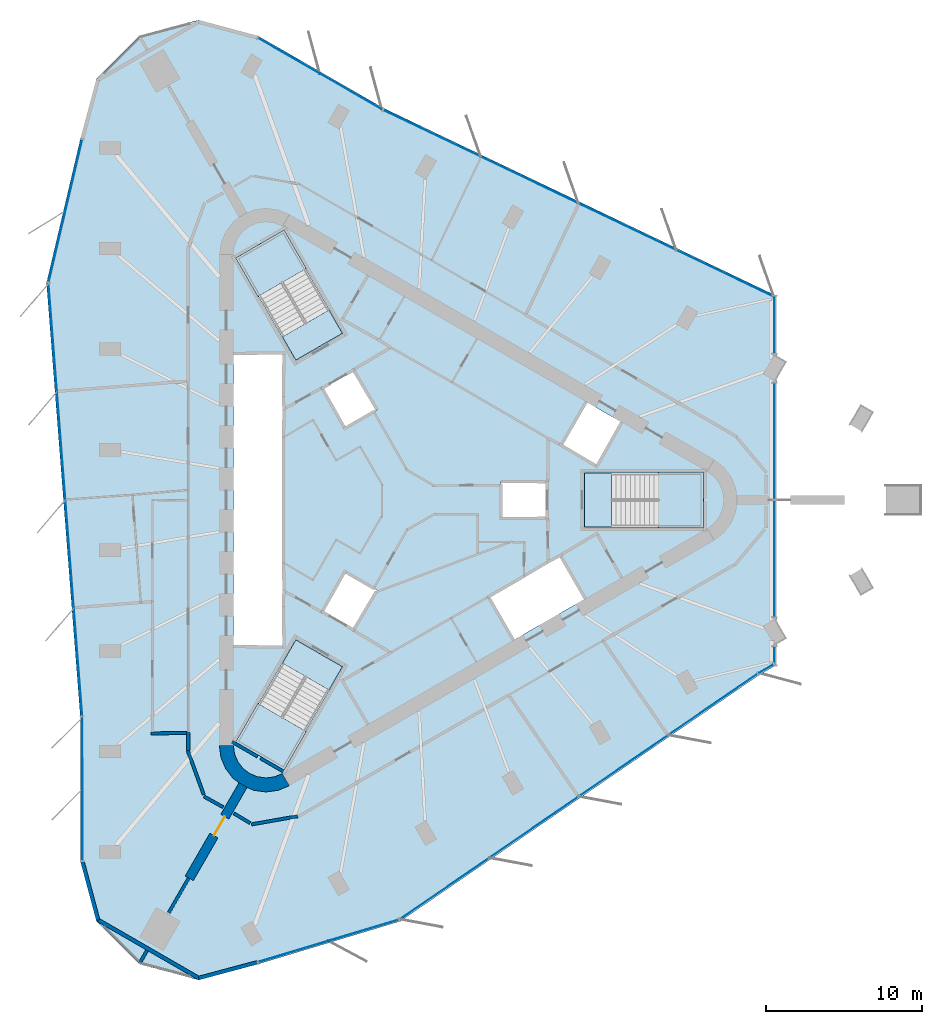
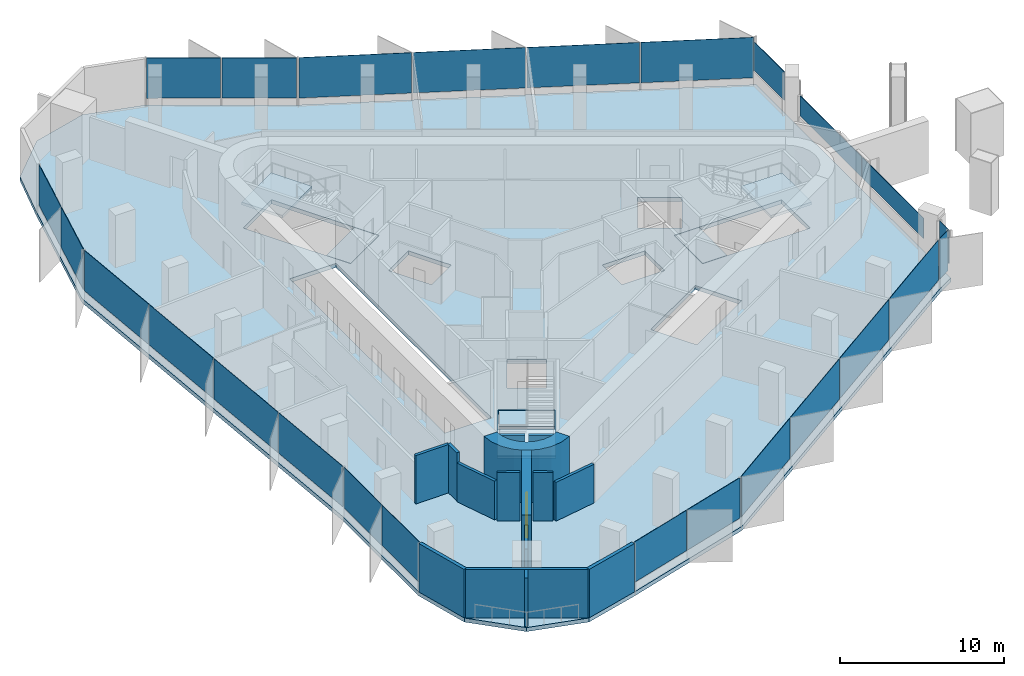
# One storey, part 6 of 12: 25 plates, 15 walls, 7 slabs, 1 door, 1 opening, 14 elements without a shape of their own.
"""IFC4 building model written with IfcOpenShell, lengths in metres."""

from ifc_helpers import new_model, si_unit, direction, frame, frame_2d, origin, origin_2d, place, context, subcontext, project, spatial, polyline, rectangle, outline, extrude, material, layer, layer_set, type_object, element, fill, aggregate, save


model = new_model("IFC4")

# Units and contexts
model_context = context("Model", 3, precision=1e-05, world=origin(), true_north=direction((0.0, 1.0)))
body_context = subcontext(model_context, "Body", "Model", "MODEL_VIEW")
ifc_project = project(units=[si_unit("LENGTHUNIT", "METRE"), si_unit("AREAUNIT", "SQUARE_METRE"), si_unit("VOLUMEUNIT", "CUBIC_METRE"), si_unit("PLANEANGLEUNIT", "RADIAN"), si_unit("MASSUNIT", "GRAM", prefix="KILO")], contexts=[model_context])

# Site, building, storey
site_placement = place(None, origin())
site = spatial("IfcSite", under=ifc_project, at=site_placement, CompositionType="ELEMENT")
building_placement = place(site_placement, origin())
building = spatial("IfcBuilding", under=site, at=building_placement, Name="Tanit Gate Tower", CompositionType="ELEMENT")
storey_placement = place(building_placement, frame((0.0, 0.0, 376.699951171875)))
storey = spatial("IfcBuildingStorey", under=building, at=storey_placement, Name="L86", CompositionType="ELEMENT", Elevation=376.699951171875)

# Slab
ifc_material_1 = material(Name="Concrete C35/45", Category="concrete")
ifc_layer_1 = layer(ifc_material_1, 0.300048828125)
ifc_layer_set_1 = layer_set([ifc_layer_1], Name="FLOOR SLAB 300 C35/45")
slab_type_1 = type_object("IfcSlabType", Name="FLOOR SLAB 300 C35/45", PredefinedType="FLOOR", material=ifc_layer_set_1)
slab_1_placement = place(storey_placement, frame((0.0, 0.0, -0.300048828125)))
element("IfcSlab", 1, at=slab_1_placement, inside=storey, type_object=slab_type_1, Name="FLOOR SLAB L86", PredefinedType="FLOOR", context=body_context, shape_type="SweptSolid", body=[
    extrude(outline(polyline([(22.59765625, -11.23974609375), (-0.477783203125, -27.072998046875), (-9.62548828125, -29.8291015625), (-13.423583984375, -30.8466796875), (-17.2216796875, -29.8291015625), (-20.002197265625, -27.048583984375), (-21.02001953125, -23.25048828125), (-21.03271484375, -13.9501953125), (-23.207275390625, 13.9501953125), (-21.02001953125, 23.25048828125), (-20.002197265625, 27.048583984375), (-17.2216796875, 29.8291015625), (-13.423583984375, 30.8466796875), (-9.62548828125, 29.8291015625), (-1.56494140625, 25.18994140625), (23.684814453125, 13.122802734375), (30.6455078125, 6.57861328125), (23.699951171875, 13.108642578125), (23.699951171875, -10.601318359375), (30.6455078125, -6.57861328125), (22.59765625, -11.23974609375)]), holes=[polyline([(11.3701171875, 1.72998046875), (18.929931640625, 1.72998046875), (18.929931640625, -1.72998046875), (11.3701171875, -1.72998046875), (11.3701171875, 1.72998046875)]), polyline([(12.158935546875, 2.159912109375), (9.82080078125, 3.510009765625), (11.44580078125, 6.324462890625), (13.783935546875, 4.974609375), (12.158935546875, 2.159912109375)]), polyline([(11.44580078125, -6.324462890625), (6.76904296875, -9.0244140625), (5.14404296875, -6.2099609375), (9.82080078125, -3.510009765625), (11.44580078125, -6.324462890625)]), polyline([(6.0, 1.199951171875), (9.0, 1.199951171875), (9.0, -1.199951171875), (6.0, -1.199951171875), (6.0, 1.199951171875)]), polyline([(-4.039306640625, 4.59619140625), (-5.539306640625, 7.194091796875), (-3.460693359375, 8.394287109375), (-1.960693359375, 5.796142578125), (-4.039306640625, 4.59619140625)]), polyline([(-1.960693359375, -5.796142578125), (-3.460693359375, -8.394287109375), (-5.539306640625, -7.194091796875), (-4.039306640625, -4.59619140625), (-1.960693359375, -5.796142578125)]), polyline([(-7.18310546875, 8.981689453125), (-10.963134765625, 15.52880859375), (-7.966796875, 17.2587890625), (-4.186767578125, 10.711669921875), (-7.18310546875, 8.981689453125)]), polyline([(-4.186767578125, -10.711669921875), (-7.966796875, -17.2587890625), (-10.963134765625, -15.52880859375), (-7.18310546875, -8.981689453125), (-4.186767578125, -10.711669921875)]), polyline([(-11.199951171875, -9.449951171875), (-11.199951171875, 9.449951171875), (-7.949951171875, 9.449951171875), (-7.949951171875, -9.449951171875), (-11.199951171875, -9.449951171875)])]), origin(), (0.0, 0.0, 1.0), 0.300048828125),
])

# Curtain wall, plates
ifc_material_2 = material(Name="Aluminium bronze anodised and glass", Category="aluminium")
curtain_wall_type_1 = type_object("IfcCurtainWallType", Name="Curtain wall typical high", PredefinedType="NOTDEFINED", material=ifc_material_2)
curtain_wall_1_placement = place(storey_placement, origin())
curtain_wall_1 = element("IfcCurtainWall", 2, at=curtain_wall_1_placement, inside=storey, type_object=curtain_wall_type_1, Name="Curtain wall L86 NE2c", PredefinedType="NOTDEFINED")
ifc_material_3 = material(Name="Glass tinted", Category="glass")
ifc_layer_2 = layer(ifc_material_3, 0.028076171875)
ifc_layer_set_2 = layer_set([ifc_layer_2], Name="Glass panel 28 typical high")
plate_type_1 = type_object("IfcPlateType", Name="Glass panel 28 typical high", PredefinedType="CURTAIN_PANEL", material=ifc_layer_set_2)
plate_1_placement = place(storey_placement, frame((20.4033203125, 14.55810546875, 0.60009765625), z_axis=(0.0, 0.0, 1.0), x_axis=(-0.902257718288, 0.431197182029, 0.0)))
plate_1 = element("IfcPlate", 3, at=plate_1_placement, type_object=plate_type_1, Name="Glass panel L86 NE2c.1", PredefinedType="CURTAIN_PANEL", context=body_context, shape_type="SweptSolid", body=[
    extrude(rectangle(XDim=6.8828125, YDim=0.028076171875, at=origin_2d()), origin(), (0.0, 0.0, 1.0), 3.0),
])
plate_2_placement = place(storey_placement, frame((14.120849609375, 17.560546875, 0.60009765625), z_axis=(0.0, 0.0, 1.0), x_axis=(-0.902257718288, 0.431197182029, 0.0)))
plate_2 = element("IfcPlate", 4, at=plate_2_placement, type_object=plate_type_1, Name="Glass panel L86 NE2c.2", PredefinedType="CURTAIN_PANEL", context=body_context, shape_type="SweptSolid", body=[
    extrude(rectangle(XDim=6.8828125, YDim=0.028076171875, at=origin_2d()), origin(), (0.0, 0.0, 1.0), 3.0),
])
plate_3_placement = place(storey_placement, frame((7.838623046875, 20.56298828125, 0.60009765625), z_axis=(0.0, 0.0, 1.0), x_axis=(-0.902257718288, 0.431197182029, 0.0)))
plate_3 = element("IfcPlate", 5, at=plate_3_placement, type_object=plate_type_1, Name="Glass panel L86 NE2c.3", PredefinedType="CURTAIN_PANEL", context=body_context, shape_type="SweptSolid", body=[
    extrude(rectangle(XDim=6.8828125, YDim=0.028076171875, at=origin_2d()), origin(), (0.0, 0.0, 1.0), 3.0),
])
plate_4_placement = place(storey_placement, frame((1.556396484375, 23.565185546875, 0.60009765625), z_axis=(0.0, 0.0, 1.0), x_axis=(-0.902257718288, 0.431197182029, 0.0)))
plate_4 = element("IfcPlate", 6, at=plate_4_placement, type_object=plate_type_1, Name="Glass panel L86 NE2c.4", PredefinedType="CURTAIN_PANEL", context=body_context, shape_type="SweptSolid", body=[
    extrude(rectangle(XDim=6.8828125, YDim=0.028076171875, at=origin_2d()), origin(), (0.0, 0.0, 1.0), 3.0),
])
aggregate(curtain_wall_1, [plate_1, plate_2, plate_3, plate_4])

curtain_wall_2_placement = place(storey_placement, origin())
curtain_wall_2 = element("IfcCurtainWall", 7, at=curtain_wall_2_placement, inside=storey, type_object=curtain_wall_type_1, Name="Curtain wall L86 NE3", PredefinedType="NOTDEFINED")
plate_5_placement = place(storey_placement, frame((-3.65087890625, 26.251953125, 0.60009765625), z_axis=(0.0, 0.0, 1.0), x_axis=(-0.866710478104, 0.498811534695, 0.0)))
plate_5 = element("IfcPlate", 8, at=plate_5_placement, type_object=plate_type_1, Name="Glass panel L86 NE3.1", PredefinedType="CURTAIN_PANEL", context=body_context, shape_type="SweptSolid", body=[
    extrude(rectangle(XDim=4.5244140625, YDim=0.028076171875, at=origin_2d()), origin(), (0.0, 0.0, 1.0), 3.0),
])
plate_6_placement = place(storey_placement, frame((-7.641845703125, 28.548828125, 0.60009765625), z_axis=(0.0, 0.0, 1.0), x_axis=(-0.866710478104, 0.498811534695, 0.0)))
plate_6 = element("IfcPlate", 9, at=plate_6_placement, type_object=plate_type_1, Name="Glass panel L86 NE3.2", PredefinedType="CURTAIN_PANEL", context=body_context, shape_type="SweptSolid", body=[
    extrude(rectangle(XDim=4.524658203125, YDim=0.028076171875, at=origin_2d()), origin(), (0.0, 0.0, 1.0), 3.0),
])
aggregate(curtain_wall_2, [plate_5, plate_6])

curtain_wall_3_placement = place(storey_placement, origin())
curtain_wall_3 = element("IfcCurtainWall", 10, at=curtain_wall_3_placement, inside=storey, type_object=curtain_wall_type_1, Name="Curtain wall L86 W1", PredefinedType="NOTDEFINED")
plate_7_placement = place(storey_placement, frame((-21.45361328125, 20.8818359375, 0.60009765625), z_axis=(0.0, 0.0, 1.0), x_axis=(-0.228936006103, -0.973441474928, 0.0)))
plate_7 = element("IfcPlate", 11, at=plate_7_placement, type_object=plate_type_1, Name="Glass panel L86 W1.1", PredefinedType="CURTAIN_PANEL", context=body_context, shape_type="SweptSolid", body=[
    extrude(rectangle(XDim=4.646728515625, YDim=0.028076171875, at=origin_2d()), origin(), (0.0, 0.0, 1.0), 3.0),
])
plate_8_placement = place(storey_placement, frame((-22.535888671875, 16.280517578125, 0.60009765625), z_axis=(0.0, 0.0, 1.0), x_axis=(-0.228936006103, -0.973441474928, 0.0)))
plate_8 = element("IfcPlate", 12, at=plate_8_placement, type_object=plate_type_1, Name="Glass panel L86 W1.2", PredefinedType="CURTAIN_PANEL", context=body_context, shape_type="SweptSolid", body=[
    extrude(rectangle(XDim=4.646728515625, YDim=0.028076171875, at=origin_2d()), origin(), (0.0, 0.0, 1.0), 3.0),
])
aggregate(curtain_wall_3, [plate_7, plate_8])

curtain_wall_4_placement = place(storey_placement, origin())
curtain_wall_4 = element("IfcCurtainWall", 13, at=curtain_wall_4_placement, inside=storey, type_object=curtain_wall_type_1, Name="Curtain wall L86 W2", PredefinedType="NOTDEFINED")
plate_9_placement = place(storey_placement, frame((-22.81201171875, 10.42529296875, 0.60009765625), z_axis=(0.0, 0.0, 1.0), x_axis=(0.077701145467, -0.996976695812, 0.0)))
plate_9 = element("IfcPlate", 14, at=plate_9_placement, type_object=plate_type_1, Name="Glass panel L86 W2.1", PredefinedType="CURTAIN_PANEL", context=body_context, shape_type="SweptSolid", body=[
    extrude(rectangle(XDim=6.892822265625, YDim=0.028076171875, at=origin_2d()), origin(), (0.0, 0.0, 1.0), 3.0),
])
plate_10_placement = place(storey_placement, frame((-22.270263671875, 3.4736328125, 0.60009765625), z_axis=(0.0, 0.0, 1.0), x_axis=(0.077701145467, -0.996976695812, 0.0)))
plate_10 = element("IfcPlate", 15, at=plate_10_placement, type_object=plate_type_1, Name="Glass panel L86 W2.2", PredefinedType="CURTAIN_PANEL", context=body_context, shape_type="SweptSolid", body=[
    extrude(rectangle(XDim=6.892822265625, YDim=0.028076171875, at=origin_2d()), origin(), (0.0, 0.0, 1.0), 3.0),
])
plate_11_placement = place(storey_placement, frame((-21.728515625, -3.478271484375, 0.60009765625), z_axis=(0.0, 0.0, 1.0), x_axis=(0.077701145467, -0.996976695812, 0.0)))
plate_11 = element("IfcPlate", 16, at=plate_11_placement, type_object=plate_type_1, Name="Glass panel L86 W2.3", PredefinedType="CURTAIN_PANEL", context=body_context, shape_type="SweptSolid", body=[
    extrude(rectangle(XDim=6.892822265625, YDim=0.028076171875, at=origin_2d()), origin(), (0.0, 0.0, 1.0), 3.0),
])
plate_12_placement = place(storey_placement, frame((-21.186767578125, -10.429931640625, 0.60009765625), z_axis=(0.0, 0.0, 1.0), x_axis=(0.077701145467, -0.996976695812, 0.0)))
plate_12 = element("IfcPlate", 17, at=plate_12_placement, type_object=plate_type_1, Name="Glass panel L86 W2.4", PredefinedType="CURTAIN_PANEL", context=body_context, shape_type="SweptSolid", body=[
    extrude(rectangle(XDim=6.892578125, YDim=0.028076171875, at=origin_2d()), origin(), (0.0, 0.0, 1.0), 3.0),
])
aggregate(curtain_wall_4, [plate_9, plate_10, plate_11, plate_12])

curtain_wall_5_placement = place(storey_placement, origin())
curtain_wall_5 = element("IfcCurtainWall", 18, at=curtain_wall_5_placement, inside=storey, type_object=curtain_wall_type_1, Name="Curtain wall L86 W3", PredefinedType="NOTDEFINED")
plate_13_placement = place(storey_placement, frame((-20.909423828125, -16.287841796875, 0.60009765625), z_axis=(0.0, 0.0, 1.0), x_axis=(0.001371778306, -0.999999059112, 0.0)))
plate_13 = element("IfcPlate", 19, at=plate_13_placement, type_object=plate_type_1, Name="Glass panel L86 W3.1", PredefinedType="CURTAIN_PANEL", context=body_context, shape_type="SweptSolid", body=[
    extrude(rectangle(XDim=4.5244140625, YDim=0.028076171875, at=origin_2d()), origin(), (0.0, 0.0, 1.0), 3.0),
])
plate_14_placement = place(storey_placement, frame((-20.903076171875, -20.892333984375, 0.60009765625), z_axis=(0.0, 0.0, 1.0), x_axis=(0.001371778306, -0.999999059112, 0.0)))
plate_14 = element("IfcPlate", 20, at=plate_14_placement, type_object=plate_type_1, Name="Glass panel L86 W3.2", PredefinedType="CURTAIN_PANEL", context=body_context, shape_type="SweptSolid", body=[
    extrude(rectangle(XDim=4.524658203125, YDim=0.028076171875, at=origin_2d()), origin(), (0.0, 0.0, 1.0), 3.0),
])
aggregate(curtain_wall_5, [plate_13, plate_14])

curtain_wall_6_placement = place(storey_placement, origin())
curtain_wall_6 = element("IfcCurtainWall", 21, at=curtain_wall_6_placement, inside=storey, type_object=curtain_wall_type_1, Name="Curtain wall L86 SE1", PredefinedType="NOTDEFINED")
plate_15_placement = place(storey_placement, frame((-7.357177734375, -29.020263671875, 0.60009765625), z_axis=(0.0, 0.0, 1.0), x_axis=(0.957493049436, 0.288456340338, 0.0)))
plate_15 = element("IfcPlate", 22, at=plate_15_placement, type_object=plate_type_1, Name="Glass panel L86 SE1.1", PredefinedType="CURTAIN_PANEL", context=body_context, shape_type="SweptSolid", body=[
    extrude(rectangle(XDim=4.646728515625, YDim=0.028076171875, at=origin_2d()), origin(), (0.0, 0.0, 1.0), 3.0),
])
plate_16_placement = place(storey_placement, frame((-2.83154296875, -27.656982421875, 0.60009765625), z_axis=(0.0, 0.0, 1.0), x_axis=(0.957493049436, 0.288456340338, 0.0)))
plate_16 = element("IfcPlate", 23, at=plate_16_placement, type_object=plate_type_1, Name="Glass panel L86 SE1.2", PredefinedType="CURTAIN_PANEL", context=body_context, shape_type="SweptSolid", body=[
    extrude(rectangle(XDim=4.646728515625, YDim=0.028076171875, at=origin_2d()), origin(), (0.0, 0.0, 1.0), 3.0),
])
aggregate(curtain_wall_6, [plate_15, plate_16])

curtain_wall_7_placement = place(storey_placement, origin())
curtain_wall_7 = element("IfcCurtainWall", 24, at=curtain_wall_7_placement, inside=storey, type_object=curtain_wall_type_1, Name="Curtain wall L86 SE2", PredefinedType="NOTDEFINED")
plate_17_placement = place(storey_placement, frame((2.37744140625, -24.968505859375, 0.60009765625), z_axis=(0.0, 0.0, 1.0), x_axis=(0.824556572821, 0.565779513784, 0.0)))
plate_17 = element("IfcPlate", 25, at=plate_17_placement, type_object=plate_type_1, Name="Glass panel L86 SE2.1", PredefinedType="CURTAIN_PANEL", context=body_context, shape_type="SweptSolid", body=[
    extrude(rectangle(XDim=6.892822265625, YDim=0.028076171875, at=origin_2d()), origin(), (0.0, 0.0, 1.0), 3.0),
])
plate_18_placement = place(storey_placement, frame((8.126953125, -21.0234375, 0.60009765625), z_axis=(0.0, 0.0, 1.0), x_axis=(0.824556572821, 0.565779513784, 0.0)))
plate_18 = element("IfcPlate", 26, at=plate_18_placement, type_object=plate_type_1, Name="Glass panel L86 SE2.2", PredefinedType="CURTAIN_PANEL", context=body_context, shape_type="SweptSolid", body=[
    extrude(rectangle(XDim=6.892822265625, YDim=0.028076171875, at=origin_2d()), origin(), (0.0, 0.0, 1.0), 3.0),
])
plate_19_placement = place(storey_placement, frame((13.87646484375, -17.078369140625, 0.60009765625), z_axis=(0.0, 0.0, 1.0), x_axis=(0.824556572821, 0.565779513784, 0.0)))
plate_19 = element("IfcPlate", 27, at=plate_19_placement, type_object=plate_type_1, Name="Glass panel L86 SE2.3", PredefinedType="CURTAIN_PANEL", context=body_context, shape_type="SweptSolid", body=[
    extrude(rectangle(XDim=6.892822265625, YDim=0.028076171875, at=origin_2d()), origin(), (0.0, 0.0, 1.0), 3.0),
])
plate_20_placement = place(storey_placement, frame((19.625732421875, -13.13330078125, 0.60009765625), z_axis=(0.0, 0.0, 1.0), x_axis=(0.824556572821, 0.565779513784, 0.0)))
plate_20 = element("IfcPlate", 28, at=plate_20_placement, type_object=plate_type_1, Name="Glass panel L86 SE2.4", PredefinedType="CURTAIN_PANEL", context=body_context, shape_type="SweptSolid", body=[
    extrude(rectangle(XDim=6.892578125, YDim=0.028076171875, at=origin_2d()), origin(), (0.0, 0.0, 1.0), 3.0),
])
aggregate(curtain_wall_7, [plate_17, plate_18, plate_19, plate_20])

# Curtain wall, plate
curtain_wall_8_placement = place(storey_placement, origin())
curtain_wall_8 = element("IfcCurtainWall", 29, at=curtain_wall_8_placement, inside=storey, type_object=curtain_wall_type_1, Name="Curtain wall L86 SE3c", PredefinedType="NOTDEFINED")
plate_21_placement = place(storey_placement, frame((23.05712890625, -10.8349609375, 0.60009765625), z_axis=(0.0, 0.0, 1.0), x_axis=(0.865338699798, 0.501187524417, 0.0)))
plate_21 = element("IfcPlate", 30, at=plate_21_placement, type_object=plate_type_1, Name="Glass panel L86 SE3c.1", PredefinedType="CURTAIN_PANEL", context=body_context, shape_type="SweptSolid", body=[
    extrude(rectangle(XDim=1.0498046875, YDim=0.028076171875, at=origin_2d()), origin(), (0.0, 0.0, 1.0), 3.0),
])
aggregate(curtain_wall_8, [plate_21])

ifc_material_4 = material(Name="Aluminium bronze anodised and glass", Category="aluminium")
curtain_wall_type_2 = type_object("IfcCurtainWallType", Name="Curtain wall portal glazing", PredefinedType="NOTDEFINED", material=ifc_material_4)
curtain_wall_9_placement = place(storey_placement, origin())
curtain_wall_9 = element("IfcCurtainWall", 31, at=curtain_wall_9_placement, inside=storey, type_object=curtain_wall_type_2, Name="Curtain wall L86 NOTCH1", PredefinedType="NOTDEFINED")
ifc_material_5 = material(Name="Glass tinted laminated safety", Category="glass")
ifc_layer_3 = layer(ifc_material_5, 0.0439453125)
ifc_layer_set_3 = layer_set([ifc_layer_3], Name="Glass panel 44 portal glazing")
plate_type_2 = type_object("IfcPlateType", Name="Glass panel 44 portal glazing", PredefinedType="CURTAIN_PANEL", material=ifc_layer_set_3)
plate_22_placement = place(storey_placement, frame((23.580078125, 11.2685546875, 1.10009765625), z_axis=(0.0, 0.0, 1.0), x_axis=(0.0, -1.0, 0.0)))
plate_22 = element("IfcPlate", 32, at=plate_22_placement, type_object=plate_type_2, Name="Glass panel L86 NOTCH1.1", PredefinedType="CURTAIN_PANEL", context=body_context, shape_type="SweptSolid", body=[
    extrude(rectangle(XDim=3.647705078125, YDim=0.0439453125, at=origin_2d()), origin(), (0.0, 0.0, 1.0), 2.110107421875),
])
aggregate(curtain_wall_9, [plate_22])

# Curtain wall, plates
curtain_wall_10_placement = place(storey_placement, origin())
curtain_wall_10 = element("IfcCurtainWall", 33, at=curtain_wall_10_placement, inside=storey, type_object=curtain_wall_type_2, Name="Curtain wall L86 NOTCH2", PredefinedType="NOTDEFINED")
plate_23_placement = place(storey_placement, frame((23.580078125, 3.77001953125, 1.10009765625), z_axis=(0.0, 0.0, 1.0), x_axis=(0.0, -1.0, 0.0)))
plate_23 = element("IfcPlate", 34, at=plate_23_placement, type_object=plate_type_2, Name="Glass panel L86 NOTCH2.1", PredefinedType="CURTAIN_PANEL", context=body_context, shape_type="SweptSolid", body=[
    extrude(rectangle(XDim=7.460205078125, YDim=0.0439453125, at=origin_2d()), origin(), (0.0, 0.0, 1.0), 1.510009765625),
])
plate_24_placement = place(storey_placement, frame((23.580078125, -3.77001953125, 1.10009765625), z_axis=(0.0, 0.0, 1.0), x_axis=(0.0, -1.0, 0.0)))
plate_24 = element("IfcPlate", 35, at=plate_24_placement, type_object=plate_type_2, Name="Glass panel L86 NOTCH2.2", PredefinedType="CURTAIN_PANEL", context=body_context, shape_type="SweptSolid", body=[
    extrude(rectangle(XDim=7.460205078125, YDim=0.0439453125, at=origin_2d()), origin(), (0.0, 0.0, 1.0), 1.510009765625),
])
aggregate(curtain_wall_10, [plate_23, plate_24])

# Curtain wall, plate
curtain_wall_11_placement = place(storey_placement, origin())
curtain_wall_11 = element("IfcCurtainWall", 36, at=curtain_wall_11_placement, inside=storey, type_object=curtain_wall_type_2, Name="Curtain wall L86 NOTCH3", PredefinedType="NOTDEFINED")
plate_25_placement = place(storey_placement, frame((23.580078125, -10.017333984375, 1.10009765625), z_axis=(0.0, 0.0, 1.0), x_axis=(0.0, -1.0, 0.0)))
plate_25 = element("IfcPlate", 37, at=plate_25_placement, type_object=plate_type_2, Name="Glass panel L86 NOTCH3.1", PredefinedType="CURTAIN_PANEL", context=body_context, shape_type="SweptSolid", body=[
    extrude(rectangle(XDim=1.1455078125, YDim=0.0439453125, at=origin_2d()), origin(), (0.0, 0.0, 1.0), 2.5),
])
aggregate(curtain_wall_11, [plate_25])

# Stair, slab
ifc_material_6 = material(Name="Concrete C40/50", Category="concrete")
stair_type = type_object("IfcStairType", Name="INT-STAIR-EXIT", PredefinedType="HALF_TURN_STAIR", material=ifc_material_6)
stair_1_placement = place(storey_placement, origin())
stair_1 = element("IfcStair", 38, at=stair_1_placement, inside=storey, type_object=stair_type, Name="L86 STAIR S1", PredefinedType="HALF_TURN_STAIR")
ifc_material_7 = material(Name="Concrete C40/50", Category="concrete")
ifc_layer_4 = layer(ifc_material_7, 0.199951171875)
ifc_layer_set_4 = layer_set([ifc_layer_4], Name="INT-STAIR-LANDING")
slab_type_2 = type_object("IfcSlabType", Name="INT-STAIR-LANDING", PredefinedType="LANDING", material=ifc_layer_set_4)
slab_2_placement = place(storey_placement, frame((0.0, 0.0, 1.75)))
slab_2 = element("IfcSlab", 39, at=slab_2_placement, type_object=slab_type_2, Name="S1 landing 1", PredefinedType="LANDING", context=body_context, shape_type="SweptSolid", body=[
    extrude(outline(polyline([(16.135986328125, -1.800048828125), (19.0, -1.800048828125), (19.0, 1.800048828125), (16.135986328125, 1.800048828125), (16.135986328125, -1.800048828125)])), origin(), (0.0, 0.0, 1.0), 0.199951171875),
])
aggregate(stair_1, [slab_2])

# Slab
slab_3_placement = place(storey_placement, frame((0.0, 0.0, -0.199951171875)))
element("IfcSlab", 40, at=slab_3_placement, inside=storey, type_object=slab_type_2, Name="S1 floor landing", PredefinedType="LANDING", context=body_context, shape_type="SweptSolid", body=[
    extrude(outline(polyline([(11.3798828125, -1.719970703125), (13.10498046875, -1.719970703125), (13.10498046875, 1.719970703125), (11.3798828125, 1.719970703125), (11.3798828125, -1.719970703125)])), origin(), (0.0, 0.0, 1.0), 0.199951171875),
])

# Stair, slab
stair_2_placement = place(storey_placement, origin())
stair_2 = element("IfcStair", 41, at=stair_2_placement, inside=storey, type_object=stair_type, Name="L86 STAIR S2", PredefinedType="HALF_TURN_STAIR")
slab_4_placement = place(storey_placement, frame((0.0, 0.0, 1.75)))
slab_4 = element("IfcSlab", 42, at=slab_4_placement, type_object=slab_type_2, Name="S2 landing 1", PredefinedType="LANDING", context=body_context, shape_type="SweptSolid", body=[
    extrude(outline(polyline([(-6.5078125, 14.871826171875), (-7.941162109375, 17.3544921875), (-11.058837890625, 15.554443359375), (-9.62548828125, 13.07177734375), (-6.5078125, 14.871826171875)])), origin(), (0.0, 0.0, 1.0), 0.199951171875),
])
aggregate(stair_2, [slab_4])

# Slab
slab_5_placement = place(storey_placement, frame((0.0, 0.0, -0.199951171875)))
element("IfcSlab", 43, at=slab_5_placement, inside=storey, type_object=slab_type_2, Name="S2 floor landing", PredefinedType="LANDING", context=body_context, shape_type="SweptSolid", body=[
    extrude(outline(polyline([(-4.200439453125, 10.71533203125), (-5.0625, 12.20849609375), (-8.04150390625, 10.48828125), (-7.179443359375, 8.995361328125), (-4.200439453125, 10.71533203125)])), origin(), (0.0, 0.0, 1.0), 0.199951171875),
])

# Stair, slab
stair_3_placement = place(storey_placement, origin())
stair_3 = element("IfcStair", 44, at=stair_3_placement, inside=storey, type_object=stair_type, Name="L86 STAIR S3", PredefinedType="HALF_TURN_STAIR")
slab_6_placement = place(storey_placement, frame((0.0, 0.0, 1.75)))
slab_6 = element("IfcSlab", 45, at=slab_6_placement, type_object=slab_type_2, Name="S3 landing 1", PredefinedType="LANDING", context=body_context, shape_type="SweptSolid", body=[
    extrude(outline(polyline([(-9.626953125, -13.07421875), (-11.058837890625, -15.554443359375), (-7.941162109375, -17.3544921875), (-6.509033203125, -14.874267578125), (-9.626953125, -13.07421875)])), origin(), (0.0, 0.0, 1.0), 0.199951171875),
])
aggregate(stair_3, [slab_6])

# Slab
slab_7_placement = place(storey_placement, frame((0.0, 0.0, -0.199951171875)))
element("IfcSlab", 46, at=slab_7_placement, inside=storey, type_object=slab_type_2, Name="S3 floor landing", PredefinedType="LANDING", context=body_context, shape_type="SweptSolid", body=[
    extrude(outline(polyline([(-7.179443359375, -8.995361328125), (-8.0419921875, -10.4892578125), (-5.06298828125, -12.209228515625), (-4.200439453125, -10.71533203125), (-7.179443359375, -8.995361328125)])), origin(), (0.0, 0.0, 1.0), 0.199951171875),
])

# Wall, opening, door
ifc_material_8 = material(Name="Concrete C40/50", Category="concrete")
ifc_layer_5 = layer(ifc_material_8, 0.60009765625)
ifc_layer_set_5 = layer_set([ifc_layer_5], Name="BUTTRESS FIN 600 C40/50")
wall_type_1 = type_object("IfcWallType", Name="BUTTRESS FIN 600 C40/50", PredefinedType="SHEAR", material=ifc_layer_set_5)
wall_1_placement = place(storey_placement, frame((-10.574951171875, -18.31640625, 0.0), z_axis=(0.0, 0.0, 1.0), x_axis=(-0.499997253739, -0.866026989333, 0.0)))
wall_1 = element("IfcWall", 47, at=wall_1_placement, inside=storey, type_object=wall_type_1, Name="BUTTRESS FIN", PredefinedType="SHEAR", context=body_context, shape_type="SweptSolid", body=[
    extrude(rectangle(XDim=6.92138671875, YDim=0.60009765625, at=frame_2d((3.460693359375, 0.0))), origin(), (0.0, 0.0, 1.0), 3.900146484375),
])
opening_placement = place(wall_1_placement, frame((2.35009765625, 0.0, 0.0)))
opening = element("IfcOpeningElement", 48, at=opening_placement, cuts=wall_1, Name="Opening P14-86-F-SW-1", PredefinedType="OPENING", context=body_context, shape_type="SweptSolid", body=[
    extrude(rectangle(XDim=1.39990234375, YDim=2.39990234375, at=frame_2d((0.699951171875, 1.199951171875))), frame((0.0, 0.31005859375, 0.0), z_axis=(0.0, -1.0, 0.0), x_axis=(1.0, 0.0, 0.0)), (0.0, 0.0, 1.0), 0.6201171875),
])
ifc_material_9 = material(Name="Timber door leaf", Category="wood")
door_type = type_object("IfcDoorType", Name="INT-DOOR-FIN-PAIR-1400", OperationType="NOTDEFINED", PredefinedType="NOTDEFINED", material=ifc_material_9)
door_placement = place(opening_placement, origin())
door = element("IfcDoor", 49, at=door_placement, inside=storey, type_object=door_type, Name="Door P14-86-F-SW-1", OperationType="DOUBLE_DOOR_SINGLE_SWING", OverallHeight=2.39990234375, OverallWidth=1.39990234375, PredefinedType="NOTDEFINED", context=body_context, shape_type="SweptSolid", body=[
    extrude(rectangle(XDim=1.39990234375, YDim=2.39990234375, at=frame_2d((0.699951171875, 1.199951171875))), frame((0.0, 0.02490234375, 0.0), z_axis=(0.0, -1.0, 0.0), x_axis=(1.0, 0.0, 0.0)), (0.0, 0.0, 1.0), 0.050048828125),
])
fill(opening, door)

# Walls
ifc_material_10 = material(Name="Concrete C40/50", Category="concrete")
ifc_layer_6 = layer(ifc_material_10, 0.89990234375)
ifc_layer_set_6 = layer_set([ifc_layer_6], Name="CORE WALL 900 C40/50")
wall_type_2 = type_object("IfcWallType", Name="CORE WALL 900 C40/50", PredefinedType="SHEAR", material=ifc_layer_set_6)
wall_2_placement = place(storey_placement, origin())
element("IfcWall", 50, at=wall_2_placement, inside=storey, type_object=wall_type_2, Name="CORE WALL CORNER", PredefinedType="SHEAR", context=body_context, shape_type="SweptSolid", body=[
    extrude(outline(polyline([(-12.10009765625, -15.76171875), (-11.997802734375, -16.5380859375), (-11.697998046875, -17.26171875), (-11.22119140625, -17.883056640625), (-10.60009765625, -18.359619140625), (-9.87646484375, -18.659423828125), (-9.10009765625, -18.76171875), (-8.323486328125, -18.659423828125), (-7.60009765625, -18.359619140625), (-8.050048828125, -17.580322265625), (-8.556396484375, -17.7900390625), (-9.10009765625, -17.86181640625), (-9.6435546875, -17.7900390625), (-10.14990234375, -17.580322265625), (-10.5849609375, -17.24658203125), (-10.918701171875, -16.811767578125), (-11.12841796875, -16.30517578125), (-11.199951171875, -15.76171875), (-12.10009765625, -15.76171875)])), origin(), (0.0, 0.0, 1.0), 3.900146484375),
])
ifc_material_11 = material(Name="Concrete C30/37 with bronze anodised aluminium cladding", Category="concrete")
ifc_layer_7 = layer(ifc_material_11, 0.239990234375)
ifc_layer_set_7 = layer_set([ifc_layer_7], Name="Facade wall bronze clad 240")
wall_type_3 = type_object("IfcWallType", Name="Facade wall bronze clad 240", PredefinedType="SOLIDWALL", material=ifc_layer_set_7)
wall_3_placement = place(storey_placement, frame((-20.89990234375, -23.234619140625, 0.0), z_axis=(0.0, 0.0, 1.0), x_axis=(0.258828240872, -0.965923362243, 0.0)))
element("IfcWall", 51, at=wall_3_placement, inside=storey, type_object=wall_type_3, Name="Bronze-clad facade wall L86 SW.arc1", PredefinedType="SOLIDWALL", context=body_context, shape_type="SweptSolid", body=[
    extrude(rectangle(XDim=3.88427734375, YDim=0.239990234375, at=frame_2d((1.942138671875, 0.0))), origin(), (0.0, 0.0, 1.0), 3.60009765625),
])
wall_4_placement = place(storey_placement, frame((-19.89453125, -26.986572265625, 0.0), z_axis=(0.0, 0.0, 1.0), x_axis=(0.866034867299, -0.499983608354, 0.0)))
element("IfcWall", 52, at=wall_4_placement, inside=storey, type_object=wall_type_3, Name="Bronze-clad facade wall L86 SW.arc2", PredefinedType="SOLIDWALL", context=body_context, shape_type="SweptSolid", body=[
    extrude(rectangle(XDim=7.471923828125, YDim=0.239990234375, at=frame_2d((3.73583984375, 0.0))), origin(), (0.0, 0.0, 1.0), 3.60009765625),
])
wall_5_placement = place(storey_placement, frame((-13.423583984375, -30.722412109375, 0.0), z_axis=(0.0, 0.0, 1.0), x_axis=(0.965930718492, 0.258800786462, 0.0)))
element("IfcWall", 53, at=wall_5_placement, inside=storey, type_object=wall_type_3, Name="Bronze-clad facade wall L86 SW.arc3", PredefinedType="SOLIDWALL", context=body_context, shape_type="SweptSolid", body=[
    extrude(rectangle(XDim=3.89794921875, YDim=0.239990234375, at=frame_2d((1.948974609375, 0.0))), origin(), (0.0, 0.0, 1.0), 3.60009765625),
])
ifc_material_12 = material(Name="Fire-rated gypsum board partition")
ifc_layer_8 = layer(ifc_material_12, 0.199951171875)
ifc_layer_set_8 = layer_set([ifc_layer_8], Name="INT-WALL-COMPARTMENT")
wall_type_4 = type_object("IfcWallType", Name="INT-WALL-COMPARTMENT", PredefinedType="PARTITIONING", material=ifc_layer_set_8)
wall_6_placement = place(storey_placement, frame((-14.10009765625, -14.949951171875, 0.0), z_axis=(0.0, 0.0, 1.0), x_axis=(0.0, -1.0, 0.0)))
element("IfcWall", 54, at=wall_6_placement, inside=storey, type_object=wall_type_4, Name="Wall Compartment W096", PredefinedType="PARTITIONING", context=body_context, shape_type="SweptSolid", body=[
    extrude(rectangle(XDim=1.143798828125, YDim=0.199951171875, at=frame_2d((0.57177734375, 0.0))), origin(), (0.0, 0.0, 1.0), 3.60009765625),
])
wall_7_placement = place(storey_placement, frame((-13.083251953125, -19.05859375, 0.0), z_axis=(0.0, 0.0, 1.0), x_axis=(0.874403699392, -0.485199103966, 0.0)))
element("IfcWall", 55, at=wall_7_placement, inside=storey, type_object=wall_type_4, Name="Wall Compartment W094", PredefinedType="PARTITIONING", context=body_context, shape_type="SweptSolid", body=[
    extrude(rectangle(XDim=1.4013671875, YDim=0.199951171875, at=frame_2d((0.70068359375, 0.0))), origin(), (0.0, 0.0, 1.0), 3.60009765625),
])
wall_8_placement = place(storey_placement, frame((-14.13427734375, -16.099609375, 0.0), z_axis=(0.0, 0.0, 1.0), x_axis=(0.342048558967, -0.939682277852, 0.0)))
element("IfcWall", 56, at=wall_8_placement, inside=storey, type_object=wall_type_4, Name="Wall Compartment W095", PredefinedType="PARTITIONING", context=body_context, shape_type="SweptSolid", body=[
    extrude(rectangle(XDim=3.015625, YDim=0.199951171875, at=frame_2d((1.5078125, 0.0))), origin(), (0.0, 0.0, 1.0), 2.880126953125),
])
wall_9_placement = place(storey_placement, frame((-16.5, -15.001220703125, 0.0), z_axis=(0.0, 0.0, 1.0), x_axis=(0.999914974263, 0.013040101386, 0.0)))
element("IfcWall", 57, at=wall_9_placement, inside=storey, type_object=wall_type_4, Name="Wall Compartment W099", PredefinedType="PARTITIONING", context=body_context, shape_type="SweptSolid", body=[
    extrude(rectangle(XDim=2.34033203125, YDim=0.199951171875, at=frame_2d((1.170166015625, 0.0))), origin(), (0.0, 0.0, 1.0), 3.60009765625),
])
wall_10_placement = place(storey_placement, frame((-14.061767578125, -24.295654296875, 0.0), z_axis=(0.0, 0.0, 1.0), x_axis=(-0.500018234033, -0.866014876105, 0.0)))
element("IfcWall", 58, at=wall_10_placement, inside=storey, type_object=wall_type_4, Name="Wall Compartment W110", PredefinedType="PARTITIONING", context=body_context, shape_type="SweptSolid", body=[
    extrude(rectangle(XDim=2.572265625, YDim=0.199951171875, at=frame_2d((1.2861328125, 0.0))), origin(), (0.0, 0.0, 1.0), 3.170166015625),
])
wall_11_placement = place(storey_placement, frame((-16.7451171875, -28.943359375, 0.0), z_axis=(0.0, 0.0, 1.0), x_axis=(-0.499988720078, -0.866031916153, 0.0)))
element("IfcWall", 59, at=wall_11_placement, inside=storey, type_object=wall_type_4, Name="Wall Compartment W109", PredefinedType="PARTITIONING", context=body_context, shape_type="SweptSolid", body=[
    extrude(rectangle(XDim=0.873046875, YDim=0.199951171875, at=frame_2d((0.4365234375, 0.0))), origin(), (0.0, 0.0, 1.0), 3.60009765625),
])
wall_12_placement = place(storey_placement, frame((-10.0322265625, -20.846923828125, 0.0), z_axis=(0.0, 0.0, 1.0), x_axis=(0.984816253597, 0.173599961555, 0.0)))
element("IfcWall", 60, at=wall_12_placement, inside=storey, type_object=wall_type_4, Name="Wall Compartment W121", PredefinedType="PARTITIONING", context=body_context, shape_type="SweptSolid", body=[
    extrude(rectangle(XDim=3.00537109375, YDim=0.199951171875, at=frame_2d((1.502685546875, 0.0))), origin(), (0.0, 0.0, 1.0), 2.880126953125),
])
wall_13_placement = place(storey_placement, frame((-11.1650390625, -20.138427734375, 0.0), z_axis=(0.0, 0.0, 1.0), x_axis=(0.857404013622, -0.51464391323, 0.0)))
element("IfcWall", 61, at=wall_13_placement, inside=storey, type_object=wall_type_4, Name="Wall Compartment W122", PredefinedType="PARTITIONING", context=body_context, shape_type="SweptSolid", body=[
    extrude(rectangle(XDim=1.211669921875, YDim=0.199951171875, at=frame_2d((0.60595703125, 0.0))), origin(), (0.0, 0.0, 1.0), 3.60009765625),
])
ifc_material_13 = material(Name="Concrete C40/50", Category="concrete")
ifc_layer_9 = layer(ifc_material_13, 0.199951171875)
ifc_layer_set_9 = layer_set([ifc_layer_9], Name="INT-WALL-STAIR")
wall_type_5 = type_object("IfcWallType", Name="INT-WALL-STAIR", PredefinedType="SHEAR", material=ifc_layer_set_9)
wall_14_placement = place(storey_placement, frame((-11.281982421875, -15.541015625, -0.300048828125), z_axis=(0.0, 0.0, 1.0), x_axis=(0.866000578957, -0.500042995397, 0.0)))
element("IfcWall", 62, at=wall_14_placement, inside=storey, type_object=wall_type_5, Name="Wall Stair W040", PredefinedType="SHEAR", context=body_context, shape_type="SweptSolid", body=[
    extrude(rectangle(XDim=1.889892578125, YDim=0.199951171875, at=frame_2d((0.94482421875, 0.0))), origin(), (0.0, 0.0, 1.0), 3.900146484375),
])
wall_15_placement = place(storey_placement, frame((-9.454833984375, -16.59619140625, -0.300048828125), z_axis=(0.0, 0.0, 1.0), x_axis=(0.866038843867, -0.499976720371, 0.0)))
element("IfcWall", 63, at=wall_15_placement, inside=storey, type_object=wall_type_5, Name="Wall Stair W039", PredefinedType="SHEAR", context=body_context, shape_type="SweptSolid", body=[
    extrude(rectangle(XDim=1.68994140625, YDim=0.199951171875, at=frame_2d((0.844970703125, 0.0))), origin(), (0.0, 0.0, 1.0), 3.900146484375),
])

save(model, "model.ifc")
